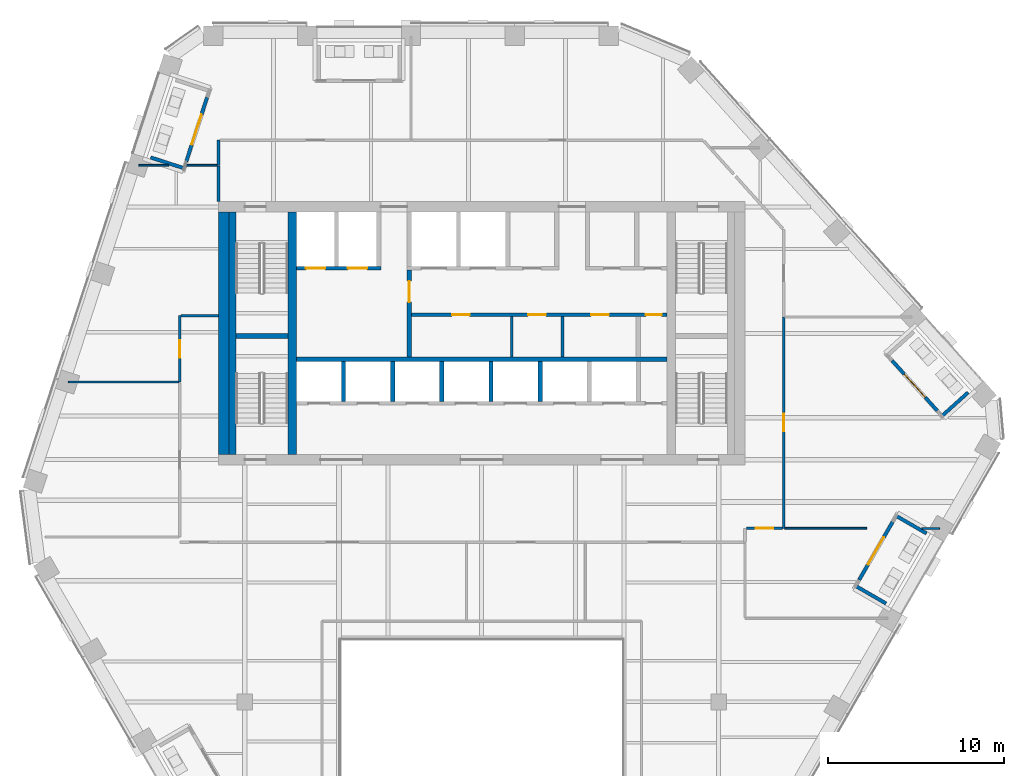
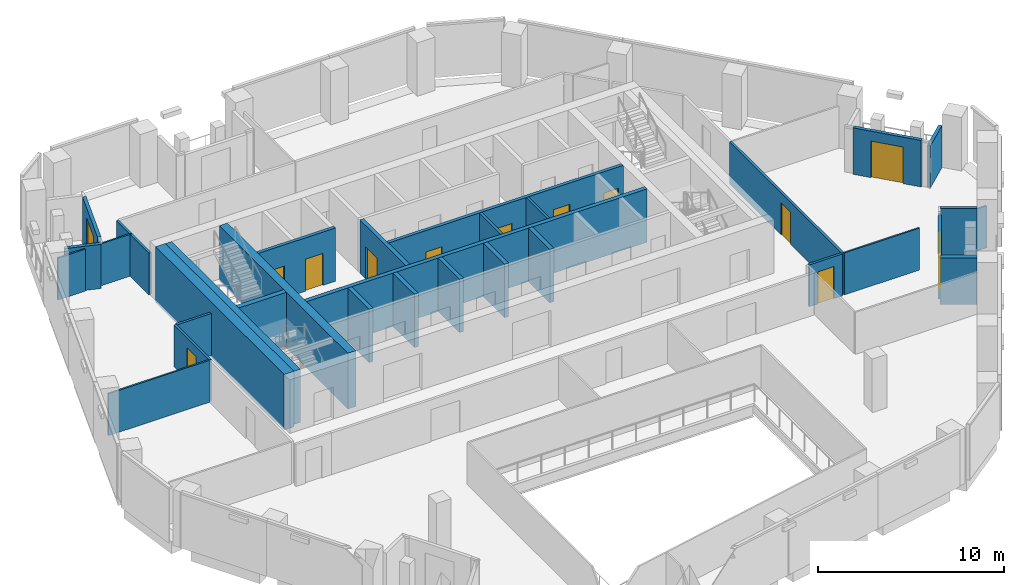
# One storey, part 17 of 25: 33 walls, 13 doors, 13 openings.
"""IFC4 building model written with IfcOpenShell, lengths in metres."""

from ifc_helpers import new_model, si_unit, direction, frame, frame_2d, origin, place, context, subcontext, project, spatial, rectangle, extrude, material, layer, layer_set, type_object, element, fill, save


model = new_model("IFC4")

# Units and contexts
model_context = context("Model", 3, precision=1e-05, world=origin(), true_north=direction((0.0, 1.0)))
body_context = subcontext(model_context, "Body", "Model", "MODEL_VIEW")
ifc_project = project(units=[si_unit("LENGTHUNIT", "METRE"), si_unit("AREAUNIT", "SQUARE_METRE"), si_unit("VOLUMEUNIT", "CUBIC_METRE"), si_unit("PLANEANGLEUNIT", "RADIAN"), si_unit("MASSUNIT", "GRAM", prefix="KILO")], contexts=[model_context])

# Site, building, storey
site_placement = place(None, origin())
site = spatial("IfcSite", under=ifc_project, at=site_placement, CompositionType="ELEMENT")
building_placement = place(site_placement, origin())
building = spatial("IfcBuilding", under=site, at=building_placement, Name="Isthmus Gate Tower", CompositionType="ELEMENT")
storey_placement = place(building_placement, frame((0.0, 0.0, 249.14990234375)))
storey = spatial("IfcBuildingStorey", under=building, at=storey_placement, Name="L63", CompositionType="ELEMENT", Elevation=249.14990234375)

# Wall, opening, door
ifc_material_1 = material(Name="Gypsum board on steel studs, fire-rated", Category="steel")
ifc_layer_1 = layer(ifc_material_1, 0.14990234375)
ifc_layer_set_1 = layer_set([ifc_layer_1], Name="CORRIDOR WALL 150 60 MIN")
wall_type_1 = type_object("IfcWallType", Name="CORRIDOR WALL 150 60 MIN", PredefinedType="PARTITIONING", material=ifc_layer_set_1)
wall_1_placement = place(storey_placement, frame((17.199951171875, 8.427978515625, 0.0), z_axis=(0.0, 0.0, 1.0), x_axis=(0.0, -1.0, 0.0)))
wall_1 = element("IfcWall", 1, at=wall_1_placement, inside=storey, type_object=wall_type_1, Name="L63 Corridor Wall 150 60 Min", PredefinedType="PARTITIONING", context=body_context, shape_type="SweptSolid", body=[
    extrude(rectangle(XDim=12.0419921875, YDim=0.14990234375, at=frame_2d((6.02099609375, 0.0))), origin(), (0.0, 0.0, 1.0), 2.750732421875),
])
opening_1_placement = place(wall_1_placement, frame((5.52099609375, 0.0, 0.0)))
opening_1 = element("IfcOpeningElement", 2, at=opening_1_placement, cuts=wall_1, Name="Opening DT-T5D-05", PredefinedType="OPENING", context=body_context, shape_type="SweptSolid", body=[
    extrude(rectangle(XDim=1.0, YDim=2.10009765625, at=frame_2d((0.5, 1.050048828125))), frame((0.0, 0.0849609375, 0.0), z_axis=(0.0, -1.0, 0.0), x_axis=(1.0, 0.0, 0.0)), (0.0, 0.0, 1.0), 0.169921875),
])
ifc_material_2 = material(Name="Solid core timber door leaf, fire-rated", Category="wood")
door_type_1 = type_object("IfcDoorType", Name="FIRE DOOR ROOM 1000 X 2100 60 MIN", OperationType="SINGLE_SWING_LEFT", PredefinedType="DOOR", material=ifc_material_2)
door_1_placement = place(opening_1_placement, origin())
door_1 = element("IfcDoor", 3, at=door_1_placement, inside=storey, type_object=door_type_1, Name="L63 room door", OperationType="SINGLE_SWING_RIGHT", OverallHeight=2.10009765625, OverallWidth=1.0, PredefinedType="DOOR", context=body_context, shape_type="SweptSolid", body=[
    extrude(rectangle(XDim=1.0, YDim=2.10009765625, at=frame_2d((0.5, 1.050048828125))), frame((0.0, 0.02490234375, 0.0), z_axis=(0.0, -1.0, 0.0), x_axis=(1.0, 0.0, 0.0)), (0.0, 0.0, 1.0), 0.050048828125),
])
fill(opening_1, door_1)

wall_2_placement = place(storey_placement, frame((17.125, -3.614013671875, 0.0), z_axis=(0.0, 0.0, 1.0), x_axis=(-1.0, 0.0, 0.0)))
wall_2 = element("IfcWall", 4, at=wall_2_placement, inside=storey, type_object=wall_type_1, Name="L63 Corridor Wall 150 60 Min", PredefinedType="PARTITIONING", context=body_context, shape_type="SweptSolid", body=[
    extrude(rectangle(XDim=2.050048828125, YDim=0.14990234375, at=frame_2d((1.02490234375, 0.0))), origin(), (0.0, 0.0, 1.0), 2.750732421875),
])
opening_2_placement = place(wall_2_placement, frame((0.52490234375, 0.0, 0.0)))
opening_2 = element("IfcOpeningElement", 5, at=opening_2_placement, cuts=wall_2, Name="Opening DT-T5D-07", PredefinedType="OPENING", context=body_context, shape_type="SweptSolid", body=[
    extrude(rectangle(XDim=1.0, YDim=2.10009765625, at=frame_2d((0.5, 1.050048828125))), frame((0.0, 0.0849609375, 0.0), z_axis=(0.0, -1.0, 0.0), x_axis=(1.0, 0.0, 0.0)), (0.0, 0.0, 1.0), 0.169921875),
])
door_2_placement = place(opening_2_placement, origin())
door_2 = element("IfcDoor", 6, at=door_2_placement, inside=storey, type_object=door_type_1, Name="L63 room door", OperationType="SINGLE_SWING_RIGHT", OverallHeight=2.10009765625, OverallWidth=1.0, PredefinedType="DOOR", context=body_context, shape_type="SweptSolid", body=[
    extrude(rectangle(XDim=1.0, YDim=2.10009765625, at=frame_2d((0.5, 1.050048828125))), frame((0.0, 0.02490234375, 0.0), z_axis=(0.0, -1.0, 0.0), x_axis=(1.0, 0.0, 0.0)), (0.0, 0.0, 1.0), 0.050048828125),
])
fill(opening_2, door_2)

# Walls
wall_3_placement = place(storey_placement, frame((-15.0, 17.071044921875, 0.0), z_axis=(0.0, 0.0, 1.0), x_axis=(0.0, 1.0, 0.0)))
element("IfcWall", 7, at=wall_3_placement, inside=storey, type_object=wall_type_1, Name="L63 Corridor Wall 150 60 Min", PredefinedType="PARTITIONING", context=body_context, shape_type="SweptSolid", body=[
    extrude(rectangle(XDim=1.428955078125, YDim=0.14990234375, at=frame_2d((0.71435546875, 0.0))), origin(), (0.0, 0.0, 1.0), 2.750732421875),
])
wall_4_placement = place(storey_placement, frame((-15.001953125, 14.998046875, 0.0), z_axis=(0.0, 0.0, 1.0), x_axis=(0.000965483499, 0.999999533921, 0.0)))
element("IfcWall", 8, at=wall_4_placement, inside=storey, type_object=wall_type_1, Name="L63 Corridor Wall 150 60 Min", PredefinedType="PARTITIONING", context=body_context, shape_type="SweptSolid", body=[
    extrude(rectangle(XDim=2.02294921875, YDim=0.14990234375, at=frame_2d((1.011474609375, 0.0))), origin(), (0.0, 0.0, 1.0), 2.750732421875),
])

# Wall, opening, door
wall_5_placement = place(storey_placement, frame((-17.199951171875, 4.722900390625, 0.0), z_axis=(0.0, 0.0, 1.0), x_axis=(0.0, 1.0, 0.0)))
wall_5 = element("IfcWall", 9, at=wall_5_placement, inside=storey, type_object=wall_type_1, Name="L63 Corridor Wall 150 60 Min", PredefinedType="PARTITIONING", context=body_context, shape_type="SweptSolid", body=[
    extrude(rectangle(XDim=3.777099609375, YDim=0.14990234375, at=frame_2d((1.888671875, 0.0))), origin(), (0.0, 0.0, 1.0), 2.750732421875),
])
opening_3_placement = place(wall_5_placement, frame((1.388427734375, 0.0, 0.0)))
opening_3 = element("IfcOpeningElement", 10, at=opening_3_placement, cuts=wall_5, Name="Opening DT-T5D-03", PredefinedType="OPENING", context=body_context, shape_type="SweptSolid", body=[
    extrude(rectangle(XDim=1.0, YDim=2.10009765625, at=frame_2d((0.5, 1.050048828125))), frame((0.0, 0.0849609375, 0.0), z_axis=(0.0, -1.0, 0.0), x_axis=(1.0, 0.0, 0.0)), (0.0, 0.0, 1.0), 0.169921875),
])
door_3_placement = place(opening_3_placement, origin())
door_3 = element("IfcDoor", 11, at=door_3_placement, inside=storey, type_object=door_type_1, Name="L63 room door", OperationType="SINGLE_SWING_RIGHT", OverallHeight=2.10009765625, OverallWidth=1.0, PredefinedType="DOOR", context=body_context, shape_type="SweptSolid", body=[
    extrude(rectangle(XDim=1.0, YDim=2.10009765625, at=frame_2d((0.5, 1.050048828125))), frame((0.0, 0.02490234375, 0.0), z_axis=(0.0, -1.0, 0.0), x_axis=(1.0, 0.0, 0.0)), (0.0, 0.0, 1.0), 0.050048828125),
])
fill(opening_3, door_3)

# Wall
wall_6_placement = place(storey_placement, frame((-17.125, 8.5, 0.0), z_axis=(0.0, 0.0, 1.0), x_axis=(1.0, 0.0, 0.0)))
element("IfcWall", 12, at=wall_6_placement, inside=storey, type_object=wall_type_1, Name="L63 Corridor Wall 150 60 Min", PredefinedType="PARTITIONING", context=body_context, shape_type="SweptSolid", body=[
    extrude(rectangle(XDim=2.125, YDim=0.14990234375, at=frame_2d((1.0625, 0.0))), origin(), (0.0, 0.0, 1.0), 2.750732421875),
])

# Wall, opening, door
ifc_material_3 = material(Name="Fire-rated blockwork masonry, 15 MPa", Category="masonry")
ifc_layer_2 = layer(ifc_material_3, 0.25)
ifc_layer_set_2 = layer_set([ifc_layer_2], Name="FIRE-FIGHTING LOBBY WALL 250 90 MIN")
wall_type_2 = type_object("IfcWallType", Name="FIRE-FIGHTING LOBBY WALL 250 90 MIN", PredefinedType="PARTITIONING", material=ifc_layer_set_2)
wall_7_placement = place(storey_placement, frame((-4.125, 6.14990234375, 0.0), z_axis=(0.0, 0.0, 1.0), x_axis=(0.0, 1.0, 0.0)))
wall_7 = element("IfcWall", 13, at=wall_7_placement, inside=storey, type_object=wall_type_2, Name="L63 FIRE-FIGHTING LOBBY WALL 250 90 MIN", PredefinedType="PARTITIONING", context=body_context, shape_type="SweptSolid", body=[
    extrude(rectangle(XDim=4.9501953125, YDim=0.25, at=frame_2d((2.47509765625, 0.0))), origin(), (0.0, 0.0, 1.0), 3.5),
])
opening_4_placement = place(wall_7_placement, frame((3.125, 0.0, 0.0)))
opening_4 = element("IfcOpeningElement", 14, at=opening_4_placement, cuts=wall_7, Name="Opening DC-A17-01", PredefinedType="OPENING", context=body_context, shape_type="SweptSolid", body=[
    extrude(rectangle(XDim=1.199951171875, YDim=2.10009765625, at=frame_2d((0.60009765625, 1.050048828125))), frame((0.0, 0.135009765625, 0.0), z_axis=(0.0, -1.0, 0.0), x_axis=(1.0, 0.0, 0.0)), (0.0, 0.0, 1.0), 0.27001953125),
])
ifc_material_4 = material(Name="Steel door leaf, fire-rated", Category="steel")
door_type_2 = type_object("IfcDoorType", Name="LOBBY FIRE DOOR 1200 X 2100 90 MIN", OperationType="DOUBLE_DOOR_SINGLE_SWING", PredefinedType="DOOR", material=ifc_material_4)
door_4_placement = place(opening_4_placement, origin())
door_4 = element("IfcDoor", 15, at=door_4_placement, inside=storey, type_object=door_type_2, Name="Fire-fighting Lobby Door", OperationType="SINGLE_SWING_LEFT", OverallHeight=2.10009765625, OverallWidth=1.199951171875, PredefinedType="DOOR", context=body_context, shape_type="SweptSolid", body=[
    extrude(rectangle(XDim=1.199951171875, YDim=2.10009765625, at=frame_2d((0.60009765625, 1.050048828125))), frame((0.0, 0.02490234375, 0.0), z_axis=(0.0, -1.0, 0.0), x_axis=(1.0, 0.0, 0.0)), (0.0, 0.0, 1.0), 0.050048828125),
])
fill(opening_4, door_4)

ifc_material_5 = material(Name="Precast concrete C40/50", Category="concrete")
ifc_layer_3 = layer(ifc_material_5, 0.199951171875)
ifc_layer_set_3 = layer_set([ifc_layer_3], Name="LOGGIA WALL 200")
wall_type_3 = type_object("IfcWallType", Name="LOGGIA WALL 200", PredefinedType="SOLIDWALL", material=ifc_layer_set_3)
wall_8_placement = place(storey_placement, frame((-15.650390625, 20.935302734375, 0.0), z_axis=(0.0, 0.0, 1.0), x_axis=(-0.308973988745, -0.951070488596, 0.0)))
wall_8 = element("IfcWall", 16, at=wall_8_placement, inside=storey, type_object=wall_type_3, Name="LOGGIA BACK WALL", PredefinedType="SOLIDWALL", context=body_context, shape_type="SweptSolid", body=[
    extrude(rectangle(XDim=3.841796875, YDim=0.199951171875, at=frame_2d((1.9208984375, 0.0))), origin(), (0.0, 0.0, 1.0), 3.050048828125),
])
opening_5_placement = place(wall_8_placement, frame((1.02099609375, 0.0, 0.0)))
opening_5 = element("IfcOpeningElement", 17, at=opening_5_placement, cuts=wall_8, Name="Opening DE63-02", PredefinedType="OPENING", context=body_context, shape_type="SweptSolid", body=[
    extrude(rectangle(XDim=1.800048828125, YDim=2.39990234375, at=frame_2d((0.89990234375, 1.199951171875))), frame((0.0, 0.10986328125, 0.0), z_axis=(0.0, -1.0, 0.0), x_axis=(1.0, 0.0, 0.0)), (0.0, 0.0, 1.0), 0.219970703125),
])
ifc_material_6 = material(Name="Aluminium, pale champagne anodised, laminated glass", Category="aluminium")
door_type_3 = type_object("IfcDoorType", Name="LOGGIA DOOR SLIDING 1800 X 2400", OperationType="DOUBLE_DOOR_SLIDING", PredefinedType="DOOR", material=ifc_material_6)
door_5_placement = place(opening_5_placement, origin())
door_5 = element("IfcDoor", 18, at=door_5_placement, inside=storey, type_object=door_type_3, Name="DOOR DE63-02", OperationType="SINGLE_SWING_LEFT", OverallHeight=2.39990234375, OverallWidth=1.800048828125, PredefinedType="DOOR", context=body_context, shape_type="SweptSolid", body=[
    extrude(rectangle(XDim=1.800048828125, YDim=2.39990234375, at=frame_2d((0.89990234375, 1.199951171875))), frame((0.0, 0.02490234375, 0.0), z_axis=(0.0, -1.0, 0.0), x_axis=(1.0, 0.0, 0.0)), (0.0, 0.0, 1.0), 0.050048828125),
])
fill(opening_5, door_5)

# Wall
wall_9_placement = place(storey_placement, frame((-18.86328125, 17.51904296875, 0.0), z_axis=(0.0, 0.0, 1.0), x_axis=(0.951067521568, -0.308983121576, 0.0)))
element("IfcWall", 19, at=wall_9_placement, inside=storey, type_object=wall_type_3, Name="LOGGIA SIDE WALL", PredefinedType="SOLIDWALL", context=body_context, shape_type="SweptSolid", body=[
    extrude(rectangle(XDim=1.984130859375, YDim=0.199951171875, at=frame_2d((0.9921875, 0.0))), origin(), (0.0, 0.0, 1.0), 2.89990234375),
])

# Wall, opening, door
wall_10_placement = place(storey_placement, frame((21.506103515625, -6.550537109375, 0.0), z_axis=(0.0, 0.0, 1.0), x_axis=(0.499997905474, 0.866026613056, 0.0)))
wall_10 = element("IfcWall", 20, at=wall_10_placement, inside=storey, type_object=wall_type_3, Name="LOGGIA BACK WALL", PredefinedType="SOLIDWALL", context=body_context, shape_type="SweptSolid", body=[
    extrude(rectangle(XDim=3.810546875, YDim=0.199951171875, at=frame_2d((1.9052734375, 0.0))), origin(), (0.0, 0.0, 1.0), 2.82080078125),
])
opening_6_placement = place(wall_10_placement, frame((1.00537109375, 0.0, 0.0)))
opening_6 = element("IfcOpeningElement", 21, at=opening_6_placement, cuts=wall_10, Name="Opening DE63-04", PredefinedType="OPENING", context=body_context, shape_type="SweptSolid", body=[
    extrude(rectangle(XDim=1.800048828125, YDim=2.39990234375, at=frame_2d((0.89990234375, 1.199951171875))), frame((0.0, 0.10986328125, 0.0), z_axis=(0.0, -1.0, 0.0), x_axis=(1.0, 0.0, 0.0)), (0.0, 0.0, 1.0), 0.219970703125),
])
door_6_placement = place(opening_6_placement, origin())
door_6 = element("IfcDoor", 22, at=door_6_placement, inside=storey, type_object=door_type_3, Name="DOOR DE63-04", OperationType="SINGLE_SWING_LEFT", OverallHeight=2.39990234375, OverallWidth=1.800048828125, PredefinedType="DOOR", context=body_context, shape_type="SweptSolid", body=[
    extrude(rectangle(XDim=1.800048828125, YDim=2.39990234375, at=frame_2d((0.89990234375, 1.199951171875))), frame((0.0, 0.02490234375, 0.0), z_axis=(0.0, -1.0, 0.0), x_axis=(1.0, 0.0, 0.0)), (0.0, 0.0, 1.0), 0.050048828125),
])
fill(opening_6, door_6)

# Walls
wall_11_placement = place(storey_placement, frame((23.0380859375, -7.89697265625, 0.0), z_axis=(0.0, 0.0, 1.0), x_axis=(-0.866046247233, 0.49996389635, 0.0)))
element("IfcWall", 23, at=wall_11_placement, inside=storey, type_object=wall_type_3, Name="LOGGIA SIDE WALL", PredefinedType="SOLIDWALL", context=body_context, shape_type="SweptSolid", body=[
    extrude(rectangle(XDim=1.984130859375, YDim=0.199951171875, at=frame_2d((0.9921875, 0.0))), origin(), (0.0, 0.0, 1.0), 3.050048828125),
])
wall_12_placement = place(storey_placement, frame((25.34326171875, -3.904052734375, 0.0), z_axis=(0.0, 0.0, 1.0), x_axis=(-0.866015483535, 0.500017181982, 0.0)))
element("IfcWall", 24, at=wall_12_placement, inside=storey, type_object=wall_type_3, Name="LOGGIA SIDE WALL", PredefinedType="SOLIDWALL", context=body_context, shape_type="SweptSolid", body=[
    extrude(rectangle(XDim=1.98388671875, YDim=0.199951171875, at=frame_2d((0.991943359375, 0.0))), origin(), (0.0, 0.0, 1.0), 3.050048828125),
])

# Wall, opening, door
wall_13_placement = place(storey_placement, frame((25.95556640625, 3.0859375, 0.0), z_axis=(0.0, 0.0, 1.0), x_axis=(-0.669119203651, 0.743155092363, 0.0)))
wall_13 = element("IfcWall", 25, at=wall_13_placement, inside=storey, type_object=wall_type_3, Name="LOGGIA BACK WALL", PredefinedType="SOLIDWALL", context=body_context, shape_type="SweptSolid", body=[
    extrude(rectangle(XDim=3.841796875, YDim=0.199951171875, at=frame_2d((1.9208984375, 0.0))), origin(), (0.0, 0.0, 1.0), 3.050048828125),
])
opening_7_placement = place(wall_13_placement, frame((1.02099609375, 0.0, 0.0)))
opening_7 = element("IfcOpeningElement", 26, at=opening_7_placement, cuts=wall_13, Name="Opening DE63-05", PredefinedType="OPENING", context=body_context, shape_type="SweptSolid", body=[
    extrude(rectangle(XDim=1.800048828125, YDim=2.39990234375, at=frame_2d((0.89990234375, 1.199951171875))), frame((0.0, 0.10986328125, 0.0), z_axis=(0.0, -1.0, 0.0), x_axis=(1.0, 0.0, 0.0)), (0.0, 0.0, 1.0), 0.219970703125),
])
door_7_placement = place(opening_7_placement, origin())
door_7 = element("IfcDoor", 27, at=door_7_placement, inside=storey, type_object=door_type_3, Name="DOOR DE63-05", OperationType="SINGLE_SWING_LEFT", OverallHeight=2.39990234375, OverallWidth=1.800048828125, PredefinedType="DOOR", context=body_context, shape_type="SweptSolid", body=[
    extrude(rectangle(XDim=1.800048828125, YDim=2.39990234375, at=frame_2d((0.89990234375, 1.199951171875))), frame((0.0, 0.02490234375, 0.0), z_axis=(0.0, -1.0, 0.0), x_axis=(1.0, 0.0, 0.0)), (0.0, 0.0, 1.0), 0.050048828125),
])
fill(opening_7, door_7)

# Walls
wall_14_placement = place(storey_placement, frame((27.709716796875, 4.126953125, 0.0), z_axis=(0.0, 0.0, 1.0), x_axis=(-0.743171771917, -0.669100678094, 0.0)))
element("IfcWall", 28, at=wall_14_placement, inside=storey, type_object=wall_type_3, Name="LOGGIA SIDE WALL", PredefinedType="SOLIDWALL", context=body_context, shape_type="SweptSolid", body=[
    extrude(rectangle(XDim=1.984130859375, YDim=0.199951171875, at=frame_2d((0.9921875, 0.0))), origin(), (0.0, 0.0, 1.0), 2.750732421875),
])
ifc_material_7 = material(Name="Concrete f'c 50 MPa", Category="concrete")
ifc_layer_4 = layer(ifc_material_7, 0.5)
ifc_layer_set_4 = layer_set([ifc_layer_4], Name="RC CORE SPINE WALL 500 F'C 50")
wall_type_4 = type_object("IfcWallType", Name="RC CORE SPINE WALL 500 F'C 50", PredefinedType="SOLIDWALL", material=ifc_layer_set_4)
wall_15_placement = place(storey_placement, frame((-10.800048828125, 0.60009765625, -0.14990234375), z_axis=(0.0, 0.0, 1.0), x_axis=(0.0, 1.0, 0.0)))
element("IfcWall", 29, at=wall_15_placement, inside=storey, type_object=wall_type_4, Name="str-corewall-L63-SPW", PredefinedType="SOLIDWALL", context=body_context, shape_type="SweptSolid", body=[
    extrude(rectangle(XDim=13.7998046875, YDim=0.5, at=frame_2d((6.89990234375, 0.0))), origin(), (0.0, 0.0, 1.0), 3.64990234375),
])
ifc_material_8 = material(Name="Concrete f'c 50 MPa", Category="concrete")
ifc_layer_5 = layer(ifc_material_8, 0.60009765625)
ifc_layer_set_5 = layer_set([ifc_layer_5], Name="RC CORE WALL 600 F'C 50")
wall_type_5 = type_object("IfcWallType", Name="RC CORE WALL 600 F'C 50", PredefinedType="SOLIDWALL", material=ifc_layer_set_5)
wall_16_placement = place(storey_placement, frame((-14.699951171875, 0.60009765625, -0.14990234375), z_axis=(0.0, 0.0, 1.0), x_axis=(0.0, 1.0, 0.0)))
element("IfcWall", 30, at=wall_16_placement, inside=storey, type_object=wall_type_5, Name="str-corewall-L63-W", PredefinedType="SOLIDWALL", context=body_context, shape_type="SweptSolid", body=[
    extrude(rectangle(XDim=13.7998046875, YDim=0.60009765625, at=frame_2d((6.89990234375, 0.0))), origin(), (0.0, 0.0, 1.0), 3.64990234375),
])
ifc_material_9 = material(Name="Gypsum board on steel studs, fire-rated", Category="steel")
ifc_layer_6 = layer(ifc_material_9, 0.10009765625)
ifc_layer_set_6 = layer_set([ifc_layer_6], Name="ROOM PARTITION 100 30 MIN")
wall_type_6 = type_object("IfcWallType", Name="ROOM PARTITION 100 30 MIN", PredefinedType="PARTITIONING", material=ifc_layer_set_6)
wall_17_placement = place(storey_placement, frame((-19.534912109375, 17.071044921875, 0.0), z_axis=(0.0, 0.0, 1.0), x_axis=(1.0, 0.0, 0.0)))
element("IfcWall", 31, at=wall_17_placement, inside=storey, type_object=wall_type_6, Name="L63 Room Partition 100 30 Min", PredefinedType="PARTITIONING", context=body_context, shape_type="SweptSolid", body=[
    extrude(rectangle(XDim=1.697021484375, YDim=0.10009765625, at=frame_2d((0.8486328125, 0.0))), origin(), (0.0, 0.0, 1.0), 2.750732421875),
])
wall_18_placement = place(storey_placement, frame((-16.859130859375, 17.071044921875, 0.0), z_axis=(0.0, 0.0, 1.0), x_axis=(1.0, 0.0, 0.0)))
element("IfcWall", 32, at=wall_18_placement, inside=storey, type_object=wall_type_6, Name="L63 Room Partition 100 30 Min", PredefinedType="PARTITIONING", context=body_context, shape_type="SweptSolid", body=[
    extrude(rectangle(XDim=1.7841796875, YDim=0.10009765625, at=frame_2d((0.89208984375, 0.0))), origin(), (0.0, 0.0, 1.0), 2.750732421875),
])
wall_19_placement = place(storey_placement, frame((-23.547119140625, 4.722900390625, 0.0), z_axis=(0.0, 0.0, 1.0), x_axis=(1.0, 0.0, 0.0)))
element("IfcWall", 33, at=wall_19_placement, inside=storey, type_object=wall_type_6, Name="L63 Room Partition 100 30 Min", PredefinedType="PARTITIONING", context=body_context, shape_type="SweptSolid", body=[
    extrude(rectangle(XDim=6.272216796875, YDim=0.10009765625, at=frame_2d((3.13623046875, 0.0))), origin(), (0.0, 0.0, 1.0), 2.750732421875),
])
wall_20_placement = place(storey_placement, frame((17.27490234375, -3.614013671875, 0.0), z_axis=(0.0, 0.0, 1.0), x_axis=(0.99999997796, -0.000209951706, 0.0)))
element("IfcWall", 34, at=wall_20_placement, inside=storey, type_object=wall_type_6, Name="L63 Room Partition 100 30 Min", PredefinedType="PARTITIONING", context=body_context, shape_type="SweptSolid", body=[
    extrude(rectangle(XDim=4.6513671875, YDim=0.10009765625, at=frame_2d((2.32568359375, 0.0))), origin(), (0.0, 0.0, 1.0), 2.750732421875),
])
wall_21_placement = place(storey_placement, frame((25.07421875, -3.61572265625, 0.0), z_axis=(0.0, 0.0, 1.0), x_axis=(0.99999997094, -0.000241080032, 0.0)))
element("IfcWall", 35, at=wall_21_placement, inside=storey, type_object=wall_type_6, Name="L63 Room Partition 100 30 Min", PredefinedType="PARTITIONING", context=body_context, shape_type="SweptSolid", body=[
    extrude(rectangle(XDim=1.0126953125, YDim=0.10009765625, at=frame_2d((0.50634765625, 0.0))), origin(), (0.0, 0.0, 1.0), 2.750732421875),
])
ifc_material_10 = material(Name="Gypsum board on steel studs, fire-rated", Category="steel")
ifc_layer_7 = layer(ifc_material_10, 0.14990234375)
ifc_layer_set_7 = layer_set([ifc_layer_7], Name="ROOM PARTITION 150 60 MIN")
wall_type_7 = type_object("IfcWallType", Name="ROOM PARTITION 150 60 MIN", PredefinedType="PARTITIONING", material=ifc_layer_set_7)
for number, where, z_axis, x_axis, name in (
    (36, (1.699951171875, 6.14990234375, 0.0), (0.0, 0.0, 1.0), (0.0, 1.0, 0.0), "L63 ROOM PARTITION 150 60 MIN"),
    (37, (4.60009765625, 6.14990234375, 0.0), (0.0, 0.0, 1.0), (0.0, 1.0, 0.0), "L63 ROOM PARTITION 150 60 MIN"),
):
    element("IfcWall", number, at=place(storey_placement, frame(where, z_axis=z_axis, x_axis=x_axis)), inside=storey, type_object=wall_type_7, Name=name, PredefinedType="PARTITIONING", context=body_context, shape_type="SweptSolid", body=[
        extrude(rectangle(XDim=2.300048828125, YDim=0.14990234375, at=frame_2d((1.14990234375, 0.0))), origin(), (0.0, 0.0, 1.0), 3.5),
    ])

# Wall, openings, doors
ifc_material_11 = material(Name="Fire-rated blockwork masonry, 15 MPa", Category="masonry")
ifc_layer_8 = layer(ifc_material_11, 0.199951171875)
ifc_layer_set_8 = layer_set([ifc_layer_8], Name="SHAFT FRONT WALL 200 120 MIN")
wall_type_8 = type_object("IfcWallType", Name="SHAFT FRONT WALL 200 120 MIN", PredefinedType="PARTITIONING", material=ifc_layer_set_8)
wall_22_placement = place(storey_placement, frame((-4.125, 8.550048828125, 0.0), z_axis=(0.0, 0.0, 1.0), x_axis=(1.0, 0.0, 0.0)))
wall_22 = element("IfcWall", 38, at=wall_22_placement, inside=storey, type_object=wall_type_8, Name="L63 SHAFT FRONT WALL 200 120 MIN", PredefinedType="PARTITIONING", context=body_context, shape_type="SweptSolid", body=[
    extrude(rectangle(XDim=14.675048828125, YDim=0.199951171875, at=frame_2d((7.33740234375, 0.0))), origin(), (0.0, 0.0, 1.0), 3.5),
])
opening_8_placement = place(wall_22_placement, frame((2.4375, 0.0, 0.0)))
opening_8 = element("IfcOpeningElement", 39, at=opening_8_placement, cuts=wall_22, Name="Opening DC-A17-03", PredefinedType="OPENING", context=body_context, shape_type="SweptSolid", body=[
    extrude(rectangle(XDim=1.0, YDim=2.10009765625, at=frame_2d((0.5, 1.050048828125))), frame((0.0, 0.10986328125, 0.0), z_axis=(0.0, -1.0, 0.0), x_axis=(1.0, 0.0, 0.0)), (0.0, 0.0, 1.0), 0.219970703125),
])
opening_9_placement = place(wall_22_placement, frame((6.77490234375, 0.0, 0.0)))
opening_9 = element("IfcOpeningElement", 40, at=opening_9_placement, cuts=wall_22, Name="Opening DC-A17-04", PredefinedType="OPENING", context=body_context, shape_type="SweptSolid", body=[
    extrude(rectangle(XDim=1.0, YDim=2.10009765625, at=frame_2d((0.5, 1.050048828125))), frame((0.0, 0.10986328125, 0.0), z_axis=(0.0, -1.0, 0.0), x_axis=(1.0, 0.0, 0.0)), (0.0, 0.0, 1.0), 0.219970703125),
])
opening_10_placement = place(wall_22_placement, frame((10.362548828125, 0.0, 0.0)))
opening_10 = element("IfcOpeningElement", 41, at=opening_10_placement, cuts=wall_22, Name="Opening DC-A17-05", PredefinedType="OPENING", context=body_context, shape_type="SweptSolid", body=[
    extrude(rectangle(XDim=1.0, YDim=2.10009765625, at=frame_2d((0.5, 1.050048828125))), frame((0.0, 0.10986328125, 0.0), z_axis=(0.0, -1.0, 0.0), x_axis=(1.0, 0.0, 0.0)), (0.0, 0.0, 1.0), 0.219970703125),
])
opening_11_placement = place(wall_22_placement, frame((13.47509765625, 0.0, 0.0)))
opening_11 = element("IfcOpeningElement", 42, at=opening_11_placement, cuts=wall_22, Name="Opening DC-A17-06", PredefinedType="OPENING", context=body_context, shape_type="SweptSolid", body=[
    extrude(rectangle(XDim=0.89990234375, YDim=2.10009765625, at=frame_2d((0.449951171875, 1.050048828125))), frame((0.0, 0.10986328125, 0.0), z_axis=(0.0, -1.0, 0.0), x_axis=(1.0, 0.0, 0.0)), (0.0, 0.0, 1.0), 0.219970703125),
])
ifc_material_12 = material(Name="Steel door leaf, fire-rated", Category="steel")
door_type_4 = type_object("IfcDoorType", Name="FIRE DOOR 1000 X 2100 60 MIN", OperationType="SINGLE_SWING_LEFT", PredefinedType="DOOR", material=ifc_material_12)
door_8_placement = place(opening_8_placement, origin())
door_8 = element("IfcDoor", 43, at=door_8_placement, inside=storey, type_object=door_type_4, Name="WC Men Door", OperationType="SINGLE_SWING_LEFT", OverallHeight=2.10009765625, OverallWidth=1.0, PredefinedType="DOOR", context=body_context, shape_type="SweptSolid", body=[
    extrude(rectangle(XDim=1.0, YDim=2.10009765625, at=frame_2d((0.5, 1.050048828125))), frame((0.0, 0.02490234375, 0.0), z_axis=(0.0, -1.0, 0.0), x_axis=(1.0, 0.0, 0.0)), (0.0, 0.0, 1.0), 0.050048828125),
])
fill(opening_8, door_8)
door_9_placement = place(opening_9_placement, origin())
door_9 = element("IfcDoor", 44, at=door_9_placement, inside=storey, type_object=door_type_4, Name="Accessible WC Door", OperationType="SINGLE_SWING_RIGHT", OverallHeight=2.10009765625, OverallWidth=1.0, PredefinedType="DOOR", context=body_context, shape_type="SweptSolid", body=[
    extrude(rectangle(XDim=1.0, YDim=2.10009765625, at=frame_2d((0.5, 1.050048828125))), frame((0.0, 0.02490234375, 0.0), z_axis=(0.0, -1.0, 0.0), x_axis=(1.0, 0.0, 0.0)), (0.0, 0.0, 1.0), 0.050048828125),
])
fill(opening_9, door_9)
door_10_placement = place(opening_10_placement, origin())
door_10 = element("IfcDoor", 45, at=door_10_placement, inside=storey, type_object=door_type_4, Name="WC Women Door", OperationType="SINGLE_SWING_LEFT", OverallHeight=2.10009765625, OverallWidth=1.0, PredefinedType="DOOR", context=body_context, shape_type="SweptSolid", body=[
    extrude(rectangle(XDim=1.0, YDim=2.10009765625, at=frame_2d((0.5, 1.050048828125))), frame((0.0, 0.02490234375, 0.0), z_axis=(0.0, -1.0, 0.0), x_axis=(1.0, 0.0, 0.0)), (0.0, 0.0, 1.0), 0.050048828125),
])
fill(opening_10, door_10)
ifc_material_13 = material(Name="Steel door leaf, fire-rated", Category="steel")
door_type_5 = type_object("IfcDoorType", Name="RISER FIRE DOOR 900 X 2100 90 MIN", OperationType="SINGLE_SWING_LEFT", PredefinedType="DOOR", material=ifc_material_13)
door_11_placement = place(opening_11_placement, origin())
door_11 = element("IfcDoor", 46, at=door_11_placement, inside=storey, type_object=door_type_5, Name="Riser Door", OperationType="SINGLE_SWING_RIGHT", OverallHeight=2.10009765625, OverallWidth=0.89990234375, PredefinedType="DOOR", context=body_context, shape_type="SweptSolid", body=[
    extrude(rectangle(XDim=0.89990234375, YDim=2.10009765625, at=frame_2d((0.449951171875, 1.050048828125))), frame((0.0, 0.02490234375, 0.0), z_axis=(0.0, -1.0, 0.0), x_axis=(1.0, 0.0, 0.0)), (0.0, 0.0, 1.0), 0.050048828125),
])
fill(opening_11, door_11)

wall_23_placement = place(storey_placement, frame((-10.550048828125, 11.199951171875, 0.0), z_axis=(0.0, 0.0, 1.0), x_axis=(1.0, 0.0, 0.0)))
wall_23 = element("IfcWall", 47, at=wall_23_placement, inside=storey, type_object=wall_type_8, Name="L63 SHAFT FRONT WALL 200 120 MIN", PredefinedType="PARTITIONING", context=body_context, shape_type="SweptSolid", body=[
    extrude(rectangle(XDim=4.800048828125, YDim=0.199951171875, at=frame_2d((2.39990234375, 0.0))), origin(), (0.0, 0.0, 1.0), 3.5),
])
opening_12_placement = place(wall_23_placement, frame((0.52490234375, 0.0, 0.0)))
opening_12 = element("IfcOpeningElement", 48, at=opening_12_placement, cuts=wall_23, Name="Opening LD-LF1", PredefinedType="OPENING", context=body_context, shape_type="SweptSolid", body=[
    extrude(rectangle(XDim=1.10009765625, YDim=2.10009765625, at=frame_2d((0.550048828125, 1.050048828125))), frame((0.0, 0.10986328125, 0.0), z_axis=(0.0, -1.0, 0.0), x_axis=(1.0, 0.0, 0.0)), (0.0, 0.0, 1.0), 0.219970703125),
])
opening_13_placement = place(wall_23_placement, frame((2.925048828125, 0.0, 0.0)))
opening_13 = element("IfcOpeningElement", 49, at=opening_13_placement, cuts=wall_23, Name="Opening LD-LF2", PredefinedType="OPENING", context=body_context, shape_type="SweptSolid", body=[
    extrude(rectangle(XDim=1.10009765625, YDim=2.10009765625, at=frame_2d((0.550048828125, 1.050048828125))), frame((0.0, 0.10986328125, 0.0), z_axis=(0.0, -1.0, 0.0), x_axis=(1.0, 0.0, 0.0)), (0.0, 0.0, 1.0), 0.219970703125),
])
ifc_material_14 = material(Name="Stainless steel sliding leaf", Category="steel")
door_type_6 = type_object("IfcDoorType", Name="LIFT LANDING FIRE DOOR 1100 X 2100 90 MIN", OperationType="DOUBLE_DOOR_SLIDING", PredefinedType="DOOR", material=ifc_material_14)
door_12_placement = place(opening_12_placement, origin())
door_12 = element("IfcDoor", 50, at=door_12_placement, inside=storey, type_object=door_type_6, Name="Lift Landing Door LF1", OperationType="DOUBLE_DOOR_SLIDING", OverallHeight=2.10009765625, OverallWidth=1.10009765625, PredefinedType="DOOR", context=body_context, shape_type="SweptSolid", body=[
    extrude(rectangle(XDim=1.10009765625, YDim=2.10009765625, at=frame_2d((0.550048828125, 1.050048828125))), frame((0.0, 0.02490234375, 0.0), z_axis=(0.0, -1.0, 0.0), x_axis=(1.0, 0.0, 0.0)), (0.0, 0.0, 1.0), 0.050048828125),
])
fill(opening_12, door_12)
door_13_placement = place(opening_13_placement, origin())
door_13 = element("IfcDoor", 51, at=door_13_placement, inside=storey, type_object=door_type_6, Name="Lift Landing Door LF2", OperationType="DOUBLE_DOOR_SLIDING", OverallHeight=2.10009765625, OverallWidth=1.10009765625, PredefinedType="DOOR", context=body_context, shape_type="SweptSolid", body=[
    extrude(rectangle(XDim=1.10009765625, YDim=2.10009765625, at=frame_2d((0.550048828125, 1.050048828125))), frame((0.0, 0.02490234375, 0.0), z_axis=(0.0, -1.0, 0.0), x_axis=(1.0, 0.0, 0.0)), (0.0, 0.0, 1.0), 0.050048828125),
])
fill(opening_13, door_13)

# Walls
ifc_material_15 = material(Name="Fire-rated blockwork masonry, 15 MPa", Category="masonry")
ifc_layer_9 = layer(ifc_material_15, 0.25)
ifc_layer_set_9 = layer_set([ifc_layer_9], Name="SHAFT WALL 250 120 MIN")
wall_type_9 = type_object("IfcWallType", Name="SHAFT WALL 250 120 MIN", PredefinedType="PARTITIONING", material=ifc_layer_set_9)
wall_24_placement = place(storey_placement, frame((-10.550048828125, 6.02490234375, 0.0), z_axis=(0.0, 0.0, 1.0), x_axis=(1.0, 0.0, 0.0)))
element("IfcWall", 52, at=wall_24_placement, inside=storey, type_object=wall_type_9, Name="L63 SHAFT WALL 250 120 MIN", PredefinedType="PARTITIONING", context=body_context, shape_type="SweptSolid", body=[
    extrude(rectangle(XDim=21.10009765625, YDim=0.25, at=frame_2d((10.550048828125, 0.0))), origin(), (0.0, 0.0, 1.0), 3.5),
])
for number, where, z_axis, x_axis, name in (
    (53, (-7.875, 3.60009765625, 0.0), (0.0, 0.0, 1.0), (0.0, 1.0, 0.0), "L63 SHAFT WALL 250 120 MIN"),
    (54, (-5.074951171875, 3.60009765625, 0.0), (0.0, 0.0, 1.0), (0.0, 1.0, 0.0), "L63 SHAFT WALL 250 120 MIN"),
    (55, (-2.27490234375, 3.60009765625, 0.0), (0.0, 0.0, 1.0), (0.0, 1.0, 0.0), "L63 SHAFT WALL 250 120 MIN"),
    (56, (0.52490234375, 3.60009765625, 0.0), (0.0, 0.0, 1.0), (0.0, 1.0, 0.0), "L63 SHAFT WALL 250 120 MIN"),
    (57, (3.324951171875, 3.60009765625, 0.0), (0.0, 0.0, 1.0), (0.0, 1.0, 0.0), "L63 SHAFT WALL 250 120 MIN"),
):
    element("IfcWall", number, at=place(storey_placement, frame(where, z_axis=z_axis, x_axis=x_axis)), inside=storey, type_object=wall_type_9, Name=name, PredefinedType="PARTITIONING", context=body_context, shape_type="SweptSolid", body=[
        extrude(rectangle(XDim=2.2998046875, YDim=0.25, at=frame_2d((1.14990234375, 0.0))), origin(), (0.0, 0.0, 1.0), 3.5),
    ])
ifc_material_16 = material(Name="Concrete f'c 40 MPa", Category="concrete")
ifc_layer_10 = layer(ifc_material_16, 0.300048828125)
ifc_layer_set_10 = layer_set([ifc_layer_10], Name="STAIR ENCLOSURE WALL 300 180 MIN")
wall_type_10 = type_object("IfcWallType", Name="STAIR ENCLOSURE WALL 300 180 MIN", PredefinedType="SOLIDWALL", material=ifc_layer_set_10)
wall_25_placement = place(storey_placement, frame((-14.0, 7.35009765625, 0.0), z_axis=(0.0, 0.0, 1.0), x_axis=(1.0, 0.0, 0.0)))
element("IfcWall", 58, at=wall_25_placement, inside=storey, type_object=wall_type_10, Name="L63 STAIR ENCLOSURE WALL 300 180 MIN", PredefinedType="SOLIDWALL", context=body_context, shape_type="SweptSolid", body=[
    extrude(rectangle(XDim=2.949951171875, YDim=0.300048828125, at=frame_2d((1.47509765625, 0.0))), origin(), (0.0, 0.0, 1.0), 3.5),
])
ifc_material_17 = material(Name="Concrete f'c 40 MPa", Category="concrete")
ifc_layer_11 = layer(ifc_material_17, 0.39990234375)
ifc_layer_set_11 = layer_set([ifc_layer_11], Name="STAIR ENCLOSURE WALL 400 180 MIN")
wall_type_11 = type_object("IfcWallType", Name="STAIR ENCLOSURE WALL 400 180 MIN", PredefinedType="SOLIDWALL", material=ifc_layer_set_11)
wall_26_placement = place(storey_placement, frame((-14.199951171875, 0.60009765625, 0.0), z_axis=(0.0, 0.0, 1.0), x_axis=(0.0, 1.0, 0.0)))
element("IfcWall", 59, at=wall_26_placement, inside=storey, type_object=wall_type_11, Name="L63 STAIR ENCLOSURE WALL 400 180 MIN", PredefinedType="SOLIDWALL", context=body_context, shape_type="SweptSolid", body=[
    extrude(rectangle(XDim=13.7998046875, YDim=0.39990234375, at=frame_2d((6.89990234375, 0.0))), origin(), (0.0, 0.0, 1.0), 3.5),
])

save(model, "model.ifc")
